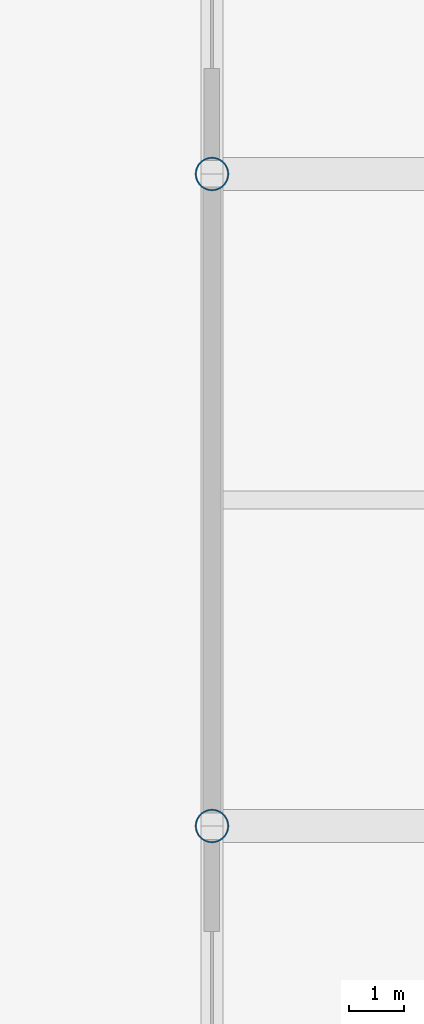
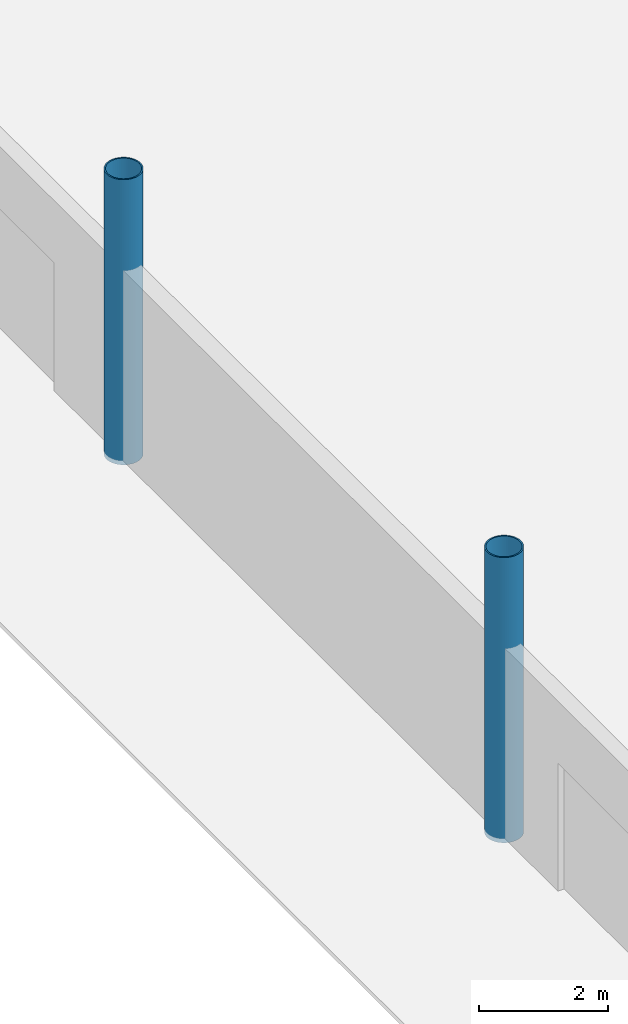
# One storey, part 3 of 124: 2 columns.
"""IFC4 building model written with IfcOpenShell, lengths in metres."""

from ifc_helpers import new_model, si_unit, direction, frame, origin, origin_2d, place, context, subcontext, project, spatial, hollow_circle, extrude, material, material_profile, profile_set, type_object, element, save


model = new_model("IFC4")

# Units and contexts
model_context = context("Model", 3, precision=1e-05, world=origin(), true_north=direction((0.0, 1.0)))
body_context = subcontext(model_context, "Body", "Model", "MODEL_VIEW")
ifc_project = project(units=[si_unit("LENGTHUNIT", "METRE"), si_unit("AREAUNIT", "SQUARE_METRE"), si_unit("VOLUMEUNIT", "CUBIC_METRE"), si_unit("PLANEANGLEUNIT", "RADIAN"), si_unit("MASSUNIT", "GRAM", prefix="KILO")], contexts=[model_context])

# Site, building, storey
site_placement = place(None, origin())
site = spatial("IfcSite", under=ifc_project, at=site_placement, CompositionType="ELEMENT")
building_placement = place(site_placement, origin())
building = spatial("IfcBuilding", under=site, at=building_placement, Name="Brelvane Convention Centre", CompositionType="ELEMENT")
storey_placement = place(building_placement, origin())
storey = spatial("IfcBuildingStorey", under=building, at=storey_placement, Name="L00", CompositionType="ELEMENT", Elevation=0.0)

# Columns
ifc_material = material(Name="Steel E450 (450 MPa)", Category="steel")
ifc_material_profile = material_profile(ifc_material, hollow_circle(Radius=0.304931640625, WallThickness=0.02490234375, at=origin_2d()), Name="CHS 610.0x25.0")
ifc_profile_set = profile_set([ifc_material_profile], Name="Steel E450 (450 MPa)")
column_type = type_object("IfcColumnType", Name="Steel Column C-ST1 (CHS 610.0x25.0)", PredefinedType="COLUMN", material=ifc_profile_set)
for number, where, z_axis, x_axis, name in (
    (1, (0.0, 40.60009765625, 0.0), (0.0, 0.0, 1.0), (1.0, 0.0, 0.0), "Column 1-E (L00)"),
    (2, (0.0, 52.39990234375, 0.0), (0.0, 0.0, 1.0), (1.0, 0.0, 0.0), "Column 1-F (L00)"),
):
    element("IfcColumn", number, at=place(storey_placement, frame(where, z_axis=z_axis, x_axis=x_axis)), inside=storey, type_object=column_type, Name=name, PredefinedType="COLUMN", context=body_context, shape_type="SweptSolid", body=[
        extrude(hollow_circle(Radius=0.304931640625, WallThickness=0.02490234375, at=origin_2d()), origin(), (0.0, 0.0, 1.0), 5.39990234375),
    ])

save(model, "model.ifc")
